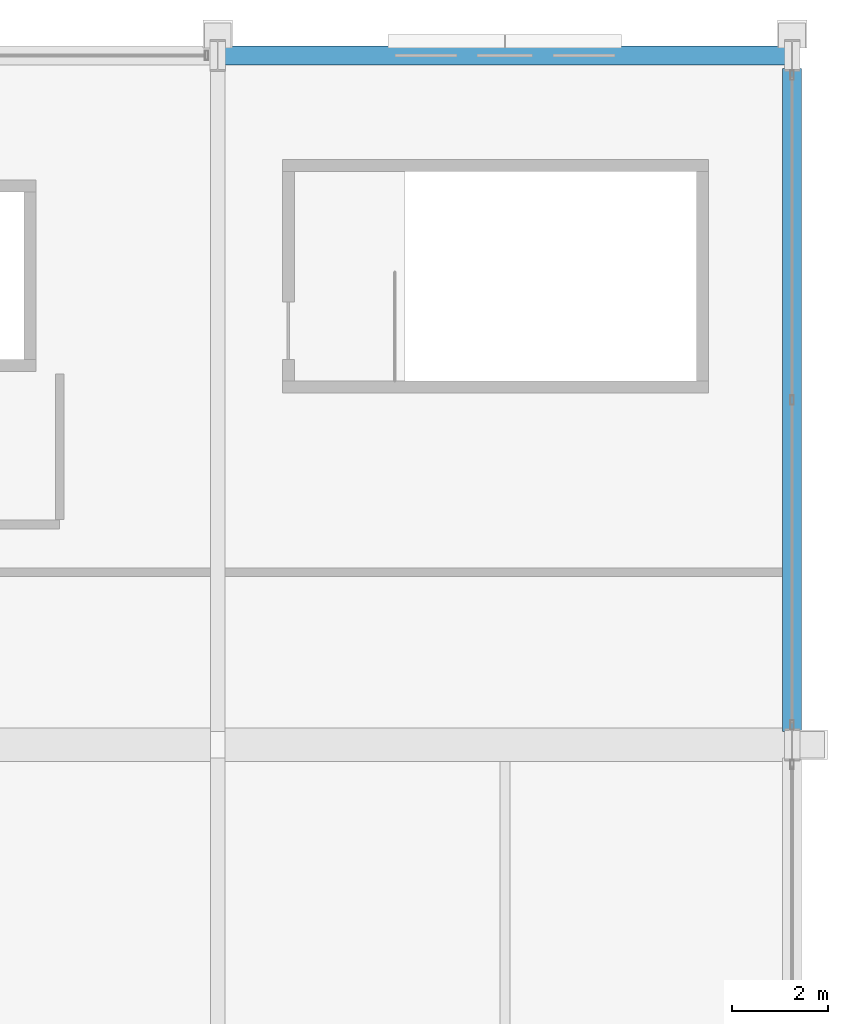
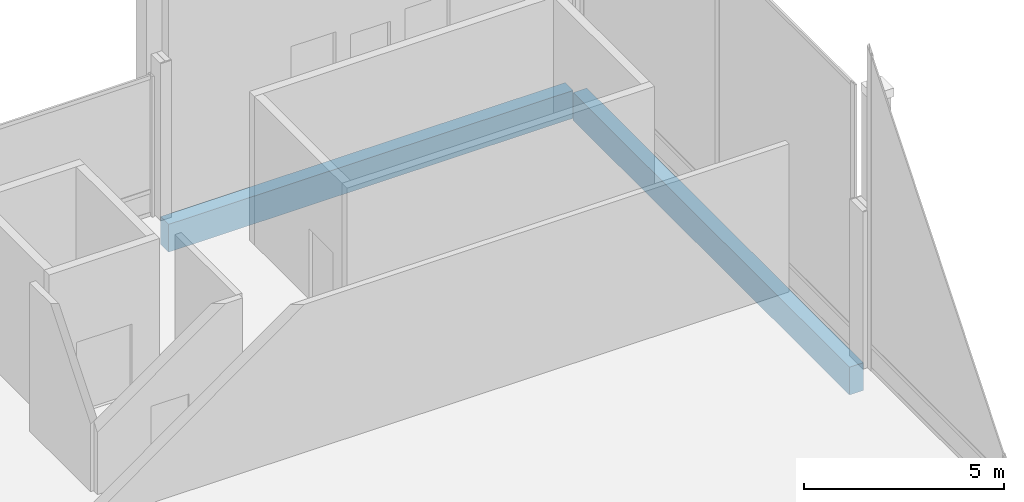
# One storey, part 110 of 193: 2 beams.
"""IFC4 building model written with IfcOpenShell, lengths in metres."""

from ifc_helpers import new_model, si_unit, direction, frame, origin, origin_2d, place, context, subcontext, project, spatial, rectangle, extrude, material, material_profile, profile_set, type_object, element, save


model = new_model("IFC4")

# Units and contexts
model_context = context("Model", 3, precision=1e-05, world=origin(), true_north=direction((0.0, 1.0)))
body_context = subcontext(model_context, "Body", "Model", "MODEL_VIEW")
ifc_project = project(units=[si_unit("LENGTHUNIT", "METRE"), si_unit("AREAUNIT", "SQUARE_METRE"), si_unit("VOLUMEUNIT", "CUBIC_METRE"), si_unit("PLANEANGLEUNIT", "RADIAN"), si_unit("MASSUNIT", "GRAM", prefix="KILO")], contexts=[model_context])

# Site, building, storey
site_placement = place(None, origin())
site = spatial("IfcSite", under=ifc_project, at=site_placement, CompositionType="ELEMENT")
building_placement = place(site_placement, origin())
building = spatial("IfcBuilding", under=site, at=building_placement, Name="Cendralis Lancet Convention Centre", CompositionType="ELEMENT")
storey_placement = place(building_placement, frame((0.0, 0.0, 10.199951171875)))
storey = spatial("IfcBuildingStorey", under=building, at=storey_placement, Name="L02", CompositionType="ELEMENT", Elevation=10.199951171875)

# Beams
ifc_material = material(Name="Concrete G40 (C40/50)", Category="concrete")
ifc_material_profile = material_profile(ifc_material, rectangle(XDim=0.39990234375, YDim=0.85009765625, at=origin_2d()), Name="RCB 400x850")
ifc_profile_set = profile_set([ifc_material_profile], Name="Concrete G40 (C40/50)")
beam_type = type_object("IfcBeamType", Name="STR-SP-SP02", PredefinedType="SPANDREL", material=ifc_profile_set)
beam_1_placement = place(storey_placement, frame((196.949951171875, 136.800048828125, -0.724853515625), z_axis=(1.0, 0.0, 0.0), x_axis=(0.0, 1.0, 0.0)))
element("IfcBeam", 1, at=beam_1_placement, inside=storey, type_object=beam_type, Name="L02 Beam SP02 #1720", PredefinedType="SPANDREL", context=body_context, shape_type="SweptSolid", body=[
    extrude(rectangle(XDim=0.39990234375, YDim=0.85009765625, at=origin_2d()), origin(), (0.0, 0.0, 1.0), 11.699951171875),
])
beam_2_placement = place(storey_placement, frame((208.800048828125, 122.675048828125, -0.724853515625), z_axis=(0.0, 1.0, 0.0), x_axis=(-1.0, 0.0, 0.0)))
element("IfcBeam", 2, at=beam_2_placement, inside=storey, type_object=beam_type, Name="L02 Beam SP02 #1741", PredefinedType="SPANDREL", context=body_context, shape_type="SweptSolid", body=[
    extrude(rectangle(XDim=0.39990234375, YDim=0.85009765625, at=origin_2d()), origin(), (0.0, 0.0, 1.0), 13.849853515625),
])

save(model, "model.ifc")
